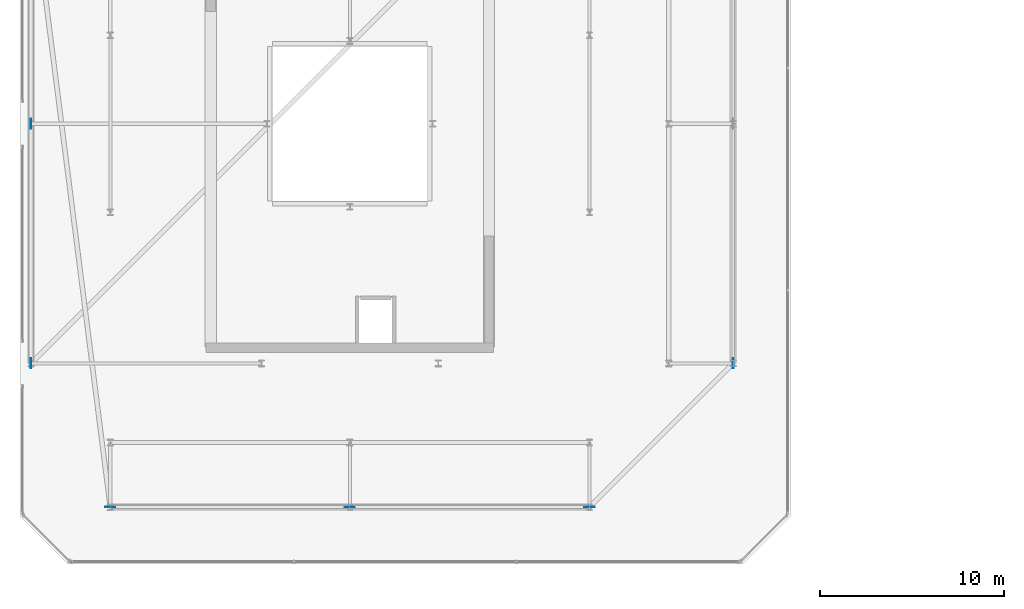
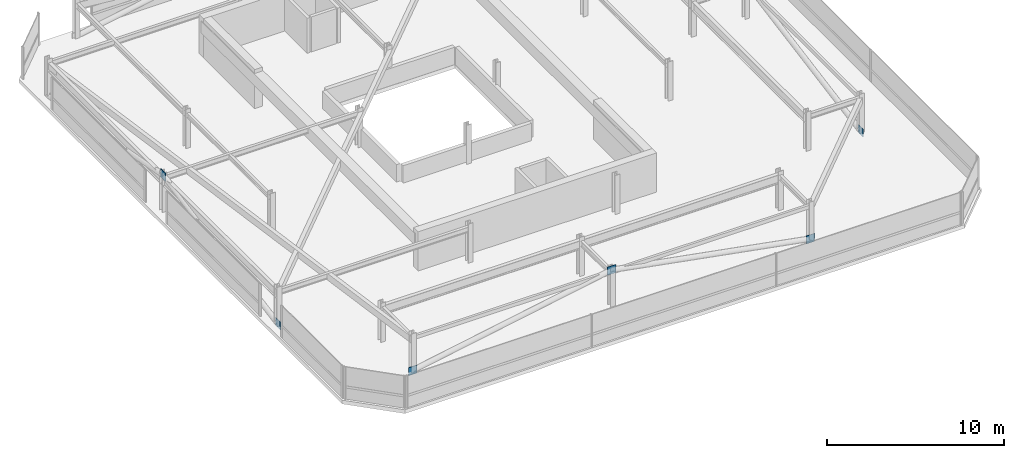
# One storey, part 38 of 42: 6 plates.
"""IFC4 building model written with IfcOpenShell, lengths in metres."""

from ifc_helpers import new_model, si_unit, direction, frame, origin, origin_2d, place, context, subcontext, project, spatial, rectangle, extrude, material, layer, layer_set, type_object, element, save


model = new_model("IFC4")

# Units and contexts
model_context = context("Model", 3, precision=1e-05, world=origin(), true_north=direction((0.0, 1.0)))
body_context = subcontext(model_context, "Body", "Model", "MODEL_VIEW")
ifc_project = project(units=[si_unit("LENGTHUNIT", "METRE"), si_unit("AREAUNIT", "SQUARE_METRE"), si_unit("VOLUMEUNIT", "CUBIC_METRE"), si_unit("PLANEANGLEUNIT", "RADIAN"), si_unit("MASSUNIT", "GRAM", prefix="KILO")], contexts=[model_context])

# Site, building, storey
site_placement = place(None, origin())
site = spatial("IfcSite", under=ifc_project, at=site_placement, CompositionType="ELEMENT")
building_placement = place(site_placement, origin())
building = spatial("IfcBuilding", under=site, at=building_placement, Name="Thornwick Lancets Civic Towers", CompositionType="ELEMENT")
storey_placement = place(building_placement, frame((0.0, 0.0, 284.10009765625)))
storey = spatial("IfcBuildingStorey", under=building, at=storey_placement, Name="C02", CompositionType="ELEMENT", Elevation=284.10009765625)

# Plates
ifc_material = material(Name="Steel S460M", Category="steel")
ifc_layer = layer(ifc_material, 0.0400390625, Name="Steel S460M")
ifc_layer_set = layer_set([ifc_layer], Name="Steel S460M")
plate_type = type_object("IfcPlateType", Name="PLT_GUSSET_40", PredefinedType="USERDEFINED", material=ifc_layer_set)
for number, where, z_axis, x_axis, name in (
    (1, (12.5, 6.199951171875, -0.22509765625), (0.0, 0.0, 1.0), (1.0, 0.0, 0.0), "C02 Brace Connection Gusset Plate 0461"),
    (2, (25.5, 6.199951171875, 2.1650390625), (0.0, 0.0, 1.0), (1.0, 0.0, 0.0), "C02 Brace Connection Gusset Plate 0462"),
    (3, (38.5, 6.199951171875, -0.22509765625), (0.0, 0.0, 1.0), (-1.0, 0.0, 0.0), "C02 Brace Connection Gusset Plate 0463"),
    (4, (46.300048828125, 14.0, -0.22509765625), (0.0, 0.0, 1.0), (0.0, 1.0, 0.0), "C02 Brace Connection Gusset Plate 0464"),
    (5, (8.199951171875, 14.0, -0.22509765625), (0.0, 0.0, 1.0), (0.0, 1.0, 0.0), "C02 Brace Connection Gusset Plate 0470"),
    (6, (8.199951171875, 27.0, 2.1650390625), (0.0, 0.0, 1.0), (0.0, 1.0, 0.0), "C02 Brace Connection Gusset Plate 0471"),
):
    element("IfcPlate", number, at=place(storey_placement, frame(where, z_axis=z_axis, x_axis=x_axis)), inside=storey, type_object=plate_type, Name=name, ObjectType="GUSSET_PLATE", PredefinedType="USERDEFINED", context=body_context, shape_type="SweptSolid", body=[
        extrude(rectangle(XDim=0.550048828125, YDim=0.0400390625, at=origin_2d()), origin(), (0.0, 0.0, 1.0), 0.550048828125),
    ])

save(model, "model.ifc")
